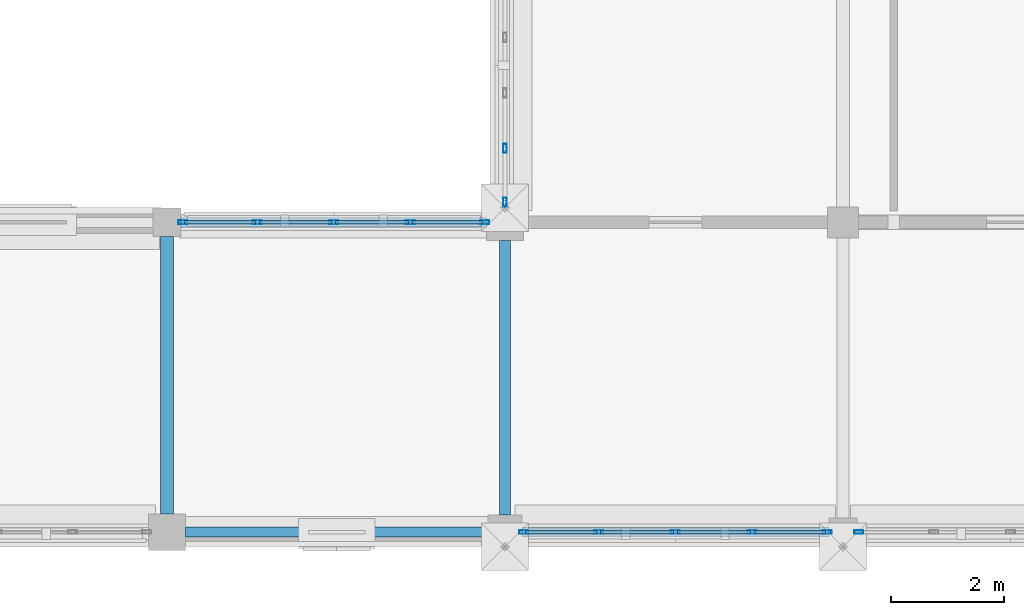
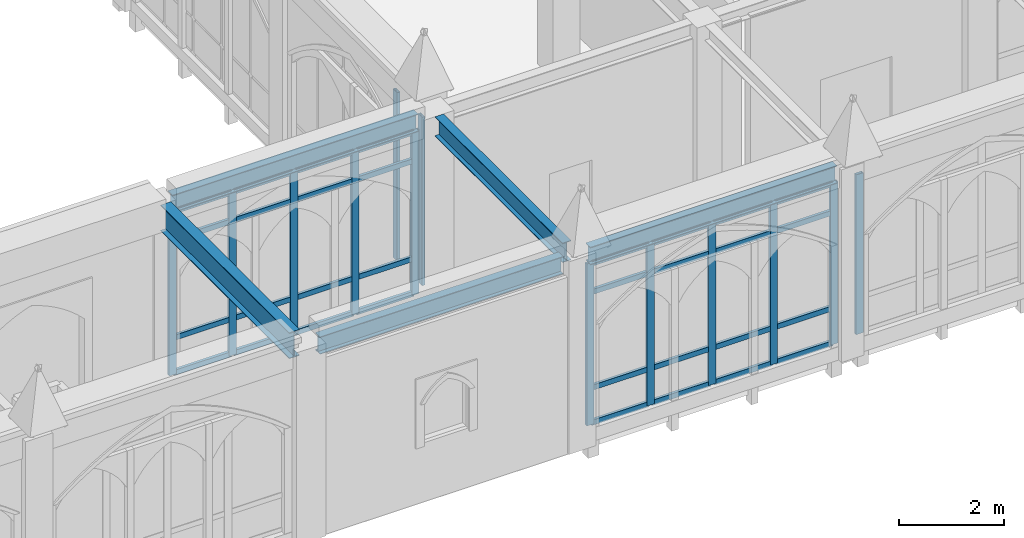
# One storey, part 12 of 143: 45 members, 5 beams, 4 elements without a shape of their own.
"""IFC4 building model written with IfcOpenShell, lengths in metres."""

from ifc_helpers import new_model, si_unit, direction, frame, origin, origin_2d, place, context, subcontext, project, spatial, hollow_rectangle, i_section, extrude, material, layer, layer_set, material_profile, profile_set, type_object, element, aggregate, save


model = new_model("IFC4")

# Units and contexts
model_context = context("Model", 3, precision=1e-05, world=origin(), true_north=direction((0.0, 1.0)))
body_context = subcontext(model_context, "Body", "Model", "MODEL_VIEW")
ifc_project = project(units=[si_unit("LENGTHUNIT", "METRE"), si_unit("AREAUNIT", "SQUARE_METRE"), si_unit("VOLUMEUNIT", "CUBIC_METRE"), si_unit("PLANEANGLEUNIT", "RADIAN"), si_unit("MASSUNIT", "GRAM", prefix="KILO")], contexts=[model_context])

# Site, building, storey
site_placement = place(None, origin())
site = spatial("IfcSite", under=ifc_project, at=site_placement, CompositionType="ELEMENT")
building_placement = place(site_placement, origin())
building = spatial("IfcBuilding", under=site, at=building_placement, Name="Cumevento Cable Car Station", CompositionType="ELEMENT")
storey_placement = place(building_placement, frame((0.0, 0.0, 9.0)))
storey = spatial("IfcBuildingStorey", under=building, at=storey_placement, Name="L03", CompositionType="ELEMENT", Elevation=9.0)

# Curtain wall, members
ifc_material_1 = material(Name="Anodised Bronze Aluminium AW-6063-T6", Category="aluminium")
ifc_layer_1 = layer(ifc_material_1, 0.219970703125)
ifc_layer_set_1 = layer_set([ifc_layer_1], Name="Anodised Bronze Aluminium AW-6063-T6")
curtain_wall_type_1 = type_object("IfcCurtainWallType", Name="Lancet Curtain Wall CW-11 1450", PredefinedType="NOTDEFINED", material=ifc_layer_set_1)
curtain_wall_1_placement = place(storey_placement, origin())
curtain_wall_1 = element("IfcCurtainWall", 1, at=curtain_wall_1_placement, inside=storey, type_object=curtain_wall_type_1, Name="Lancet Curtain Wall CW-11 L03 #74", PredefinedType="NOTDEFINED")
ifc_material_2 = material(Name="Anodised Bronze Aluminium AW-6063-T6", Category="aluminium")
ifc_material_profile_1 = material_profile(ifc_material_2, hollow_rectangle(XDim=0.06494140625, YDim=0.159912109375, WallThickness=0.00390625, at=origin_2d()), Name="ALUM65x160x4")
ifc_profile_set_1 = profile_set([ifc_material_profile_1], Name="Anodised Bronze Aluminium AW-6063-T6")
member_type_1 = type_object("IfcMemberType", Name="Curtain Mullion CWM-01 ALUM65x160x4", PredefinedType="MULLION", material=ifc_profile_set_1)
member_1_placement = place(storey_placement, frame((52.282470703125, 9.5, 0.260009765625), z_axis=(0.0, 0.0, 1.0), x_axis=(0.0, 1.0, 0.0)))
member_1 = element("IfcMember", 2, at=member_1_placement, type_object=member_type_1, Name="CW-11 mullion 1", PredefinedType="MULLION", context=body_context, shape_type="SweptSolid", body=[
    extrude(hollow_rectangle(XDim=0.06494140625, YDim=0.159912109375, WallThickness=0.00390625, at=origin_2d()), origin(), (0.0, 0.0, 1.0), 3.8330078125),
])
member_2_placement = place(storey_placement, frame((53.606201171875, 9.5, 0.260009765625), z_axis=(0.0, 0.0, 1.0), x_axis=(0.0, 1.0, 0.0)))
member_2 = element("IfcMember", 3, at=member_2_placement, type_object=member_type_1, Name="CW-11 mullion 2", PredefinedType="MULLION", context=body_context, shape_type="SweptSolid", body=[
    extrude(hollow_rectangle(XDim=0.06494140625, YDim=0.159912109375, WallThickness=0.00390625, at=origin_2d()), origin(), (0.0, 0.0, 1.0), 3.8330078125),
])
member_3_placement = place(storey_placement, frame((54.96240234375, 9.5, 0.260009765625), z_axis=(0.0, 0.0, 1.0), x_axis=(0.0, 1.0, 0.0)))
member_3 = element("IfcMember", 4, at=member_3_placement, type_object=member_type_1, Name="CW-11 mullion 3", PredefinedType="MULLION", context=body_context, shape_type="SweptSolid", body=[
    extrude(hollow_rectangle(XDim=0.06494140625, YDim=0.159912109375, WallThickness=0.00390625, at=origin_2d()), origin(), (0.0, 0.0, 1.0), 3.8330078125),
])
member_4_placement = place(storey_placement, frame((56.31884765625, 9.5, 0.260009765625), z_axis=(0.0, 0.0, 1.0), x_axis=(0.0, 1.0, 0.0)))
member_4 = element("IfcMember", 5, at=member_4_placement, type_object=member_type_1, Name="CW-11 mullion 4", PredefinedType="MULLION", context=body_context, shape_type="SweptSolid", body=[
    extrude(hollow_rectangle(XDim=0.06494140625, YDim=0.159912109375, WallThickness=0.00390625, at=origin_2d()), origin(), (0.0, 0.0, 1.0), 3.8330078125),
])
member_5_placement = place(storey_placement, frame((57.642578125, 9.5, 0.260009765625), z_axis=(0.0, 0.0, 1.0), x_axis=(0.0, 1.0, 0.0)))
member_5 = element("IfcMember", 6, at=member_5_placement, type_object=member_type_1, Name="CW-11 mullion 5", PredefinedType="MULLION", context=body_context, shape_type="SweptSolid", body=[
    extrude(hollow_rectangle(XDim=0.06494140625, YDim=0.159912109375, WallThickness=0.00390625, at=origin_2d()), origin(), (0.0, 0.0, 1.0), 3.8330078125),
])

ifc_material_3 = material(Name="Anodised Bronze Aluminium AW-6063-T6", Category="aluminium")
ifc_layer_2 = layer(ifc_material_3, 0.22607421875)
ifc_layer_set_2 = layer_set([ifc_layer_2], Name="Anodised Bronze Aluminium AW-6063-T6")
curtain_wall_type_2 = type_object("IfcCurtainWallType", Name="Lancet Curtain Wall CW-12 1490", PredefinedType="NOTDEFINED", material=ifc_layer_set_2)
curtain_wall_2_placement = place(storey_placement, origin())
curtain_wall_2 = element("IfcCurtainWall", 7, at=curtain_wall_2_placement, inside=storey, type_object=curtain_wall_type_2, Name="Lancet Curtain Wall CW-12 L03 #75", PredefinedType="NOTDEFINED")
member_6_placement = place(storey_placement, frame((63.717529296875, 4.0, 0.31005859375), z_axis=(0.0, 0.0, 1.0), x_axis=(0.0, -1.0, 0.0)))
member_6 = element("IfcMember", 8, at=member_6_placement, type_object=member_type_1, Name="CW-12 mullion 1", PredefinedType="MULLION", context=body_context, shape_type="SweptSolid", body=[
    extrude(hollow_rectangle(XDim=0.06494140625, YDim=0.159912109375, WallThickness=0.00390625, at=origin_2d()), origin(), (0.0, 0.0, 1.0), 3.782958984375),
])
member_7_placement = place(storey_placement, frame((62.387451171875, 4.0, 0.31005859375), z_axis=(0.0, 0.0, 1.0), x_axis=(0.0, -1.0, 0.0)))
member_7 = element("IfcMember", 9, at=member_7_placement, type_object=member_type_1, Name="CW-12 mullion 2", PredefinedType="MULLION", context=body_context, shape_type="SweptSolid", body=[
    extrude(hollow_rectangle(XDim=0.06494140625, YDim=0.159912109375, WallThickness=0.00390625, at=origin_2d()), origin(), (0.0, 0.0, 1.0), 3.782958984375),
])
member_8_placement = place(storey_placement, frame((61.02490234375, 4.0, 0.31005859375), z_axis=(0.0, 0.0, 1.0), x_axis=(0.0, -1.0, 0.0)))
member_8 = element("IfcMember", 10, at=member_8_placement, type_object=member_type_1, Name="CW-12 mullion 3", PredefinedType="MULLION", context=body_context, shape_type="SweptSolid", body=[
    extrude(hollow_rectangle(XDim=0.06494140625, YDim=0.159912109375, WallThickness=0.00390625, at=origin_2d()), origin(), (0.0, 0.0, 1.0), 3.782958984375),
])
member_9_placement = place(storey_placement, frame((59.66259765625, 4.0, 0.31005859375), z_axis=(0.0, 0.0, 1.0), x_axis=(0.0, -1.0, 0.0)))
member_9 = element("IfcMember", 11, at=member_9_placement, type_object=member_type_1, Name="CW-12 mullion 4", PredefinedType="MULLION", context=body_context, shape_type="SweptSolid", body=[
    extrude(hollow_rectangle(XDim=0.06494140625, YDim=0.159912109375, WallThickness=0.00390625, at=origin_2d()), origin(), (0.0, 0.0, 1.0), 3.782958984375),
])
member_10_placement = place(storey_placement, frame((58.33251953125, 4.0, 0.31005859375), z_axis=(0.0, 0.0, 1.0), x_axis=(0.0, -1.0, 0.0)))
member_10 = element("IfcMember", 12, at=member_10_placement, type_object=member_type_1, Name="CW-12 mullion 5", PredefinedType="MULLION", context=body_context, shape_type="SweptSolid", body=[
    extrude(hollow_rectangle(XDim=0.06494140625, YDim=0.159912109375, WallThickness=0.00390625, at=origin_2d()), origin(), (0.0, 0.0, 1.0), 3.782958984375),
])

# Curtain wall, member
ifc_material_4 = material(Name="Anodised Bronze Aluminium AW-6063-T6", Category="aluminium")
ifc_layer_3 = layer(ifc_material_4, 0.23193359375)
ifc_layer_set_3 = layer_set([ifc_layer_3], Name="Anodised Bronze Aluminium AW-6063-T6")
curtain_wall_type_3 = type_object("IfcCurtainWallType", Name="Lancet Curtain Wall CW-13 1530", PredefinedType="NOTDEFINED", material=ifc_layer_set_3)
curtain_wall_3_placement = place(storey_placement, origin())
curtain_wall_3 = element("IfcCurtainWall", 13, at=curtain_wall_3_placement, inside=storey, type_object=curtain_wall_type_3, Name="Lancet Curtain Wall CW-13 L03 #76", PredefinedType="NOTDEFINED")
member_11_placement = place(storey_placement, frame((64.282470703125, 4.0, 0.360107421875), z_axis=(0.0, 0.0, 1.0), x_axis=(0.0, -1.0, 0.0)))
member_11 = element("IfcMember", 14, at=member_11_placement, type_object=member_type_1, Name="CW-13 mullion 5", PredefinedType="MULLION", context=body_context, shape_type="SweptSolid", body=[
    extrude(hollow_rectangle(XDim=0.06494140625, YDim=0.159912109375, WallThickness=0.00390625, at=origin_2d()), origin(), (0.0, 0.0, 1.0), 3.73291015625),
])
aggregate(curtain_wall_3, [member_11])

# Curtain wall, members
ifc_material_5 = material(Name="Anodised Bronze Aluminium AW-6063-T6", Category="aluminium")
ifc_layer_4 = layer(ifc_material_5, 0.159912109375)
ifc_layer_set_4 = layer_set([ifc_layer_4], Name="Anodised Bronze Aluminium AW-6063-T6")
curtain_wall_type_4 = type_object("IfcCurtainWallType", Name="Lancet Curtain Wall CW-01 1050", PredefinedType="NOTDEFINED", material=ifc_layer_set_4)
curtain_wall_4_placement = place(storey_placement, origin())
curtain_wall_4 = element("IfcCurtainWall", 15, at=curtain_wall_4_placement, inside=storey, type_object=curtain_wall_type_4, Name="Lancet Curtain Wall CW-01 L03 #80", PredefinedType="NOTDEFINED")
member_12_placement = place(storey_placement, frame((58.0, 9.857421875, 0.159912109375), z_axis=(0.0, 0.0, 1.0), x_axis=(-1.0, 0.0, 0.0)))
member_12 = element("IfcMember", 16, at=member_12_placement, type_object=member_type_1, Name="CW-01 mullion 1", PredefinedType="MULLION", context=body_context, shape_type="SweptSolid", body=[
    extrude(hollow_rectangle(XDim=0.06494140625, YDim=0.159912109375, WallThickness=0.00390625, at=origin_2d()), origin(), (0.0, 0.0, 1.0), 3.93310546875),
])
member_13_placement = place(storey_placement, frame((58.0, 10.81005859375, 0.159912109375), z_axis=(0.0, 0.0, 1.0), x_axis=(-1.0, 0.0, 0.0)))
member_13 = element("IfcMember", 17, at=member_13_placement, type_object=member_type_1, Name="CW-01 mullion 2", PredefinedType="MULLION", context=body_context, shape_type="SweptSolid", body=[
    extrude(hollow_rectangle(XDim=0.06494140625, YDim=0.159912109375, WallThickness=0.00390625, at=origin_2d()), origin(), (0.0, 0.0, 1.0), 3.93310546875),
])
aggregate(curtain_wall_4, [member_12, member_13])

# Member
ifc_material_6 = material(Name="Anodised Bronze Aluminium AW-6063-T6", Category="aluminium")
ifc_material_profile_2 = material_profile(ifc_material_6, hollow_rectangle(XDim=0.06494140625, YDim=0.1201171875, WallThickness=0.00390625, at=origin_2d()), Name="ALUT65x120x4")
ifc_profile_set_2 = profile_set([ifc_material_profile_2], Name="Anodised Bronze Aluminium AW-6063-T6")
member_type_2 = type_object("IfcMemberType", Name="Curtain Transom CWT-01 ALUT65x120x4", PredefinedType="USERDEFINED", material=ifc_profile_set_2)
member_14_placement = place(storey_placement, frame((52.31494140625, 9.5, 0.29248046875), z_axis=(1.0, 0.0, 0.0), x_axis=(0.0, 1.0, 0.0)))
member_14 = element("IfcMember", 18, at=member_14_placement, type_object=member_type_2, Name="CW-11 transom 1.1", ObjectType="TRANSOM", PredefinedType="USERDEFINED", context=body_context, shape_type="SweptSolid", body=[
    extrude(hollow_rectangle(XDim=0.06494140625, YDim=0.1201171875, WallThickness=0.00390625, at=origin_2d()), origin(), (0.0, 0.0, 1.0), 1.2587890625),
])

member_15_placement = place(storey_placement, frame((52.31494140625, 9.5, 1.110107421875), z_axis=(1.0, 0.0, 0.0), x_axis=(0.0, 1.0, 0.0)))
member_15 = element("IfcMember", 19, at=member_15_placement, type_object=member_type_2, Name="CW-11 transom 1.2", ObjectType="TRANSOM", PredefinedType="USERDEFINED", context=body_context, shape_type="SweptSolid", body=[
    extrude(hollow_rectangle(XDim=0.06494140625, YDim=0.1201171875, WallThickness=0.00390625, at=origin_2d()), origin(), (0.0, 0.0, 1.0), 1.2587890625),
])

member_16_placement = place(storey_placement, frame((52.31494140625, 9.5, 3.39306640625), z_axis=(1.0, 0.0, 0.0), x_axis=(0.0, 1.0, 0.0)))
member_16 = element("IfcMember", 20, at=member_16_placement, type_object=member_type_2, Name="CW-11 transom 1.3", ObjectType="TRANSOM", PredefinedType="USERDEFINED", context=body_context, shape_type="SweptSolid", body=[
    extrude(hollow_rectangle(XDim=0.06494140625, YDim=0.1201171875, WallThickness=0.00390625, at=origin_2d()), origin(), (0.0, 0.0, 1.0), 1.2587890625),
])

member_17_placement = place(storey_placement, frame((52.31494140625, 9.5, 4.060546875), z_axis=(1.0, 0.0, 0.0), x_axis=(0.0, 1.0, 0.0)))
member_17 = element("IfcMember", 21, at=member_17_placement, type_object=member_type_2, Name="CW-11 transom 1.4", ObjectType="TRANSOM", PredefinedType="USERDEFINED", context=body_context, shape_type="SweptSolid", body=[
    extrude(hollow_rectangle(XDim=0.06494140625, YDim=0.1201171875, WallThickness=0.00390625, at=origin_2d()), origin(), (0.0, 0.0, 1.0), 1.2587890625),
])

member_18_placement = place(storey_placement, frame((53.638671875, 9.5, 0.29248046875), z_axis=(1.0, 0.0, 0.0), x_axis=(0.0, 1.0, 0.0)))
member_18 = element("IfcMember", 22, at=member_18_placement, type_object=member_type_2, Name="CW-11 transom 2.1", ObjectType="TRANSOM", PredefinedType="USERDEFINED", context=body_context, shape_type="SweptSolid", body=[
    extrude(hollow_rectangle(XDim=0.06494140625, YDim=0.1201171875, WallThickness=0.00390625, at=origin_2d()), origin(), (0.0, 0.0, 1.0), 1.291259765625),
])

member_19_placement = place(storey_placement, frame((53.638671875, 9.5, 1.110107421875), z_axis=(1.0, 0.0, 0.0), x_axis=(0.0, 1.0, 0.0)))
member_19 = element("IfcMember", 23, at=member_19_placement, type_object=member_type_2, Name="CW-11 transom 2.2", ObjectType="TRANSOM", PredefinedType="USERDEFINED", context=body_context, shape_type="SweptSolid", body=[
    extrude(hollow_rectangle(XDim=0.06494140625, YDim=0.1201171875, WallThickness=0.00390625, at=origin_2d()), origin(), (0.0, 0.0, 1.0), 1.291259765625),
])

member_20_placement = place(storey_placement, frame((53.638671875, 9.5, 3.39306640625), z_axis=(1.0, 0.0, 0.0), x_axis=(0.0, 1.0, 0.0)))
member_20 = element("IfcMember", 24, at=member_20_placement, type_object=member_type_2, Name="CW-11 transom 2.3", ObjectType="TRANSOM", PredefinedType="USERDEFINED", context=body_context, shape_type="SweptSolid", body=[
    extrude(hollow_rectangle(XDim=0.06494140625, YDim=0.1201171875, WallThickness=0.00390625, at=origin_2d()), origin(), (0.0, 0.0, 1.0), 1.291259765625),
])

member_21_placement = place(storey_placement, frame((53.638671875, 9.5, 4.060546875), z_axis=(1.0, 0.0, 0.0), x_axis=(0.0, 1.0, 0.0)))
member_21 = element("IfcMember", 25, at=member_21_placement, type_object=member_type_2, Name="CW-11 transom 2.4", ObjectType="TRANSOM", PredefinedType="USERDEFINED", context=body_context, shape_type="SweptSolid", body=[
    extrude(hollow_rectangle(XDim=0.06494140625, YDim=0.1201171875, WallThickness=0.00390625, at=origin_2d()), origin(), (0.0, 0.0, 1.0), 1.291259765625),
])

member_22_placement = place(storey_placement, frame((54.9951171875, 9.5, 0.29248046875), z_axis=(1.0, 0.0, 0.0), x_axis=(0.0, 1.0, 0.0)))
member_22 = element("IfcMember", 26, at=member_22_placement, type_object=member_type_2, Name="CW-11 transom 3.1", ObjectType="TRANSOM", PredefinedType="USERDEFINED", context=body_context, shape_type="SweptSolid", body=[
    extrude(hollow_rectangle(XDim=0.06494140625, YDim=0.1201171875, WallThickness=0.00390625, at=origin_2d()), origin(), (0.0, 0.0, 1.0), 1.291015625),
])

member_23_placement = place(storey_placement, frame((54.9951171875, 9.5, 1.110107421875), z_axis=(1.0, 0.0, 0.0), x_axis=(0.0, 1.0, 0.0)))
member_23 = element("IfcMember", 27, at=member_23_placement, type_object=member_type_2, Name="CW-11 transom 3.2", ObjectType="TRANSOM", PredefinedType="USERDEFINED", context=body_context, shape_type="SweptSolid", body=[
    extrude(hollow_rectangle(XDim=0.06494140625, YDim=0.1201171875, WallThickness=0.00390625, at=origin_2d()), origin(), (0.0, 0.0, 1.0), 1.291015625),
])

member_24_placement = place(storey_placement, frame((54.9951171875, 9.5, 3.39306640625), z_axis=(1.0, 0.0, 0.0), x_axis=(0.0, 1.0, 0.0)))
member_24 = element("IfcMember", 28, at=member_24_placement, type_object=member_type_2, Name="CW-11 transom 3.3", ObjectType="TRANSOM", PredefinedType="USERDEFINED", context=body_context, shape_type="SweptSolid", body=[
    extrude(hollow_rectangle(XDim=0.06494140625, YDim=0.1201171875, WallThickness=0.00390625, at=origin_2d()), origin(), (0.0, 0.0, 1.0), 1.291015625),
])

member_25_placement = place(storey_placement, frame((54.9951171875, 9.5, 4.060546875), z_axis=(1.0, 0.0, 0.0), x_axis=(0.0, 1.0, 0.0)))
member_25 = element("IfcMember", 29, at=member_25_placement, type_object=member_type_2, Name="CW-11 transom 3.4", ObjectType="TRANSOM", PredefinedType="USERDEFINED", context=body_context, shape_type="SweptSolid", body=[
    extrude(hollow_rectangle(XDim=0.06494140625, YDim=0.1201171875, WallThickness=0.00390625, at=origin_2d()), origin(), (0.0, 0.0, 1.0), 1.291015625),
])

member_26_placement = place(storey_placement, frame((56.351318359375, 9.5, 0.29248046875), z_axis=(1.0, 0.0, 0.0), x_axis=(0.0, 1.0, 0.0)))
member_26 = element("IfcMember", 30, at=member_26_placement, type_object=member_type_2, Name="CW-11 transom 4.1", ObjectType="TRANSOM", PredefinedType="USERDEFINED", context=body_context, shape_type="SweptSolid", body=[
    extrude(hollow_rectangle(XDim=0.06494140625, YDim=0.1201171875, WallThickness=0.00390625, at=origin_2d()), origin(), (0.0, 0.0, 1.0), 1.2587890625),
])

member_27_placement = place(storey_placement, frame((56.351318359375, 9.5, 1.110107421875), z_axis=(1.0, 0.0, 0.0), x_axis=(0.0, 1.0, 0.0)))
member_27 = element("IfcMember", 31, at=member_27_placement, type_object=member_type_2, Name="CW-11 transom 4.2", ObjectType="TRANSOM", PredefinedType="USERDEFINED", context=body_context, shape_type="SweptSolid", body=[
    extrude(hollow_rectangle(XDim=0.06494140625, YDim=0.1201171875, WallThickness=0.00390625, at=origin_2d()), origin(), (0.0, 0.0, 1.0), 1.2587890625),
])

member_28_placement = place(storey_placement, frame((56.351318359375, 9.5, 3.39306640625), z_axis=(1.0, 0.0, 0.0), x_axis=(0.0, 1.0, 0.0)))
member_28 = element("IfcMember", 32, at=member_28_placement, type_object=member_type_2, Name="CW-11 transom 4.3", ObjectType="TRANSOM", PredefinedType="USERDEFINED", context=body_context, shape_type="SweptSolid", body=[
    extrude(hollow_rectangle(XDim=0.06494140625, YDim=0.1201171875, WallThickness=0.00390625, at=origin_2d()), origin(), (0.0, 0.0, 1.0), 1.2587890625),
])

member_29_placement = place(storey_placement, frame((56.351318359375, 9.5, 4.060546875), z_axis=(1.0, 0.0, 0.0), x_axis=(0.0, 1.0, 0.0)))
member_29 = element("IfcMember", 33, at=member_29_placement, type_object=member_type_2, Name="CW-11 transom 4.4", ObjectType="TRANSOM", PredefinedType="USERDEFINED", context=body_context, shape_type="SweptSolid", body=[
    extrude(hollow_rectangle(XDim=0.06494140625, YDim=0.1201171875, WallThickness=0.00390625, at=origin_2d()), origin(), (0.0, 0.0, 1.0), 1.2587890625),
])

aggregate(curtain_wall_1, [member_1, member_2, member_3, member_4, member_5, member_14, member_15, member_16, member_17, member_18, member_19, member_20, member_21, member_22, member_23, member_24, member_25, member_26, member_27, member_28, member_29])

member_30_placement = place(storey_placement, frame((63.68505859375, 4.0, 0.342529296875), z_axis=(-1.0, 0.0, 0.0), x_axis=(0.0, -1.0, 0.0)))
member_30 = element("IfcMember", 34, at=member_30_placement, type_object=member_type_2, Name="CW-12 transom 1.1", ObjectType="TRANSOM", PredefinedType="USERDEFINED", context=body_context, shape_type="SweptSolid", body=[
    extrude(hollow_rectangle(XDim=0.06494140625, YDim=0.1201171875, WallThickness=0.00390625, at=origin_2d()), origin(), (0.0, 0.0, 1.0), 1.26513671875),
])

member_31_placement = place(storey_placement, frame((63.68505859375, 4.0, 1.159912109375), z_axis=(-1.0, 0.0, 0.0), x_axis=(0.0, -1.0, 0.0)))
member_31 = element("IfcMember", 35, at=member_31_placement, type_object=member_type_2, Name="CW-12 transom 1.2", ObjectType="TRANSOM", PredefinedType="USERDEFINED", context=body_context, shape_type="SweptSolid", body=[
    extrude(hollow_rectangle(XDim=0.06494140625, YDim=0.1201171875, WallThickness=0.00390625, at=origin_2d()), origin(), (0.0, 0.0, 1.0), 1.26513671875),
])

member_32_placement = place(storey_placement, frame((63.68505859375, 4.0, 3.39306640625), z_axis=(-1.0, 0.0, 0.0), x_axis=(0.0, -1.0, 0.0)))
member_32 = element("IfcMember", 36, at=member_32_placement, type_object=member_type_2, Name="CW-12 transom 1.3", ObjectType="TRANSOM", PredefinedType="USERDEFINED", context=body_context, shape_type="SweptSolid", body=[
    extrude(hollow_rectangle(XDim=0.06494140625, YDim=0.1201171875, WallThickness=0.00390625, at=origin_2d()), origin(), (0.0, 0.0, 1.0), 1.26513671875),
])

member_33_placement = place(storey_placement, frame((63.68505859375, 4.0, 4.060546875), z_axis=(-1.0, 0.0, 0.0), x_axis=(0.0, -1.0, 0.0)))
member_33 = element("IfcMember", 37, at=member_33_placement, type_object=member_type_2, Name="CW-12 transom 1.4", ObjectType="TRANSOM", PredefinedType="USERDEFINED", context=body_context, shape_type="SweptSolid", body=[
    extrude(hollow_rectangle(XDim=0.06494140625, YDim=0.1201171875, WallThickness=0.00390625, at=origin_2d()), origin(), (0.0, 0.0, 1.0), 1.26513671875),
])

member_34_placement = place(storey_placement, frame((62.35498046875, 4.0, 0.342529296875), z_axis=(-1.0, 0.0, 0.0), x_axis=(0.0, -1.0, 0.0)))
member_34 = element("IfcMember", 38, at=member_34_placement, type_object=member_type_2, Name="CW-12 transom 2.1", ObjectType="TRANSOM", PredefinedType="USERDEFINED", context=body_context, shape_type="SweptSolid", body=[
    extrude(hollow_rectangle(XDim=0.06494140625, YDim=0.1201171875, WallThickness=0.00390625, at=origin_2d()), origin(), (0.0, 0.0, 1.0), 1.29736328125),
])

member_35_placement = place(storey_placement, frame((62.35498046875, 4.0, 1.159912109375), z_axis=(-1.0, 0.0, 0.0), x_axis=(0.0, -1.0, 0.0)))
member_35 = element("IfcMember", 39, at=member_35_placement, type_object=member_type_2, Name="CW-12 transom 2.2", ObjectType="TRANSOM", PredefinedType="USERDEFINED", context=body_context, shape_type="SweptSolid", body=[
    extrude(hollow_rectangle(XDim=0.06494140625, YDim=0.1201171875, WallThickness=0.00390625, at=origin_2d()), origin(), (0.0, 0.0, 1.0), 1.29736328125),
])

member_36_placement = place(storey_placement, frame((62.35498046875, 4.0, 3.39306640625), z_axis=(-1.0, 0.0, 0.0), x_axis=(0.0, -1.0, 0.0)))
member_36 = element("IfcMember", 40, at=member_36_placement, type_object=member_type_2, Name="CW-12 transom 2.3", ObjectType="TRANSOM", PredefinedType="USERDEFINED", context=body_context, shape_type="SweptSolid", body=[
    extrude(hollow_rectangle(XDim=0.06494140625, YDim=0.1201171875, WallThickness=0.00390625, at=origin_2d()), origin(), (0.0, 0.0, 1.0), 1.29736328125),
])

member_37_placement = place(storey_placement, frame((62.35498046875, 4.0, 4.060546875), z_axis=(-1.0, 0.0, 0.0), x_axis=(0.0, -1.0, 0.0)))
member_37 = element("IfcMember", 41, at=member_37_placement, type_object=member_type_2, Name="CW-12 transom 2.4", ObjectType="TRANSOM", PredefinedType="USERDEFINED", context=body_context, shape_type="SweptSolid", body=[
    extrude(hollow_rectangle(XDim=0.06494140625, YDim=0.1201171875, WallThickness=0.00390625, at=origin_2d()), origin(), (0.0, 0.0, 1.0), 1.29736328125),
])

member_38_placement = place(storey_placement, frame((60.992431640625, 4.0, 0.342529296875), z_axis=(-1.0, 0.0, 0.0), x_axis=(0.0, -1.0, 0.0)))
member_38 = element("IfcMember", 42, at=member_38_placement, type_object=member_type_2, Name="CW-12 transom 3.1", ObjectType="TRANSOM", PredefinedType="USERDEFINED", context=body_context, shape_type="SweptSolid", body=[
    extrude(hollow_rectangle(XDim=0.06494140625, YDim=0.1201171875, WallThickness=0.00390625, at=origin_2d()), origin(), (0.0, 0.0, 1.0), 1.29736328125),
])

member_39_placement = place(storey_placement, frame((60.992431640625, 4.0, 1.159912109375), z_axis=(-1.0, 0.0, 0.0), x_axis=(0.0, -1.0, 0.0)))
member_39 = element("IfcMember", 43, at=member_39_placement, type_object=member_type_2, Name="CW-12 transom 3.2", ObjectType="TRANSOM", PredefinedType="USERDEFINED", context=body_context, shape_type="SweptSolid", body=[
    extrude(hollow_rectangle(XDim=0.06494140625, YDim=0.1201171875, WallThickness=0.00390625, at=origin_2d()), origin(), (0.0, 0.0, 1.0), 1.29736328125),
])

member_40_placement = place(storey_placement, frame((60.992431640625, 4.0, 3.39306640625), z_axis=(-1.0, 0.0, 0.0), x_axis=(0.0, -1.0, 0.0)))
member_40 = element("IfcMember", 44, at=member_40_placement, type_object=member_type_2, Name="CW-12 transom 3.3", ObjectType="TRANSOM", PredefinedType="USERDEFINED", context=body_context, shape_type="SweptSolid", body=[
    extrude(hollow_rectangle(XDim=0.06494140625, YDim=0.1201171875, WallThickness=0.00390625, at=origin_2d()), origin(), (0.0, 0.0, 1.0), 1.29736328125),
])

member_41_placement = place(storey_placement, frame((60.992431640625, 4.0, 4.060546875), z_axis=(-1.0, 0.0, 0.0), x_axis=(0.0, -1.0, 0.0)))
member_41 = element("IfcMember", 45, at=member_41_placement, type_object=member_type_2, Name="CW-12 transom 3.4", ObjectType="TRANSOM", PredefinedType="USERDEFINED", context=body_context, shape_type="SweptSolid", body=[
    extrude(hollow_rectangle(XDim=0.06494140625, YDim=0.1201171875, WallThickness=0.00390625, at=origin_2d()), origin(), (0.0, 0.0, 1.0), 1.29736328125),
])

member_42_placement = place(storey_placement, frame((59.6298828125, 4.0, 0.342529296875), z_axis=(-1.0, 0.0, 0.0), x_axis=(0.0, -1.0, 0.0)))
member_42 = element("IfcMember", 46, at=member_42_placement, type_object=member_type_2, Name="CW-12 transom 4.1", ObjectType="TRANSOM", PredefinedType="USERDEFINED", context=body_context, shape_type="SweptSolid", body=[
    extrude(hollow_rectangle(XDim=0.06494140625, YDim=0.1201171875, WallThickness=0.00390625, at=origin_2d()), origin(), (0.0, 0.0, 1.0), 1.264892578125),
])

member_43_placement = place(storey_placement, frame((59.6298828125, 4.0, 1.159912109375), z_axis=(-1.0, 0.0, 0.0), x_axis=(0.0, -1.0, 0.0)))
member_43 = element("IfcMember", 47, at=member_43_placement, type_object=member_type_2, Name="CW-12 transom 4.2", ObjectType="TRANSOM", PredefinedType="USERDEFINED", context=body_context, shape_type="SweptSolid", body=[
    extrude(hollow_rectangle(XDim=0.06494140625, YDim=0.1201171875, WallThickness=0.00390625, at=origin_2d()), origin(), (0.0, 0.0, 1.0), 1.264892578125),
])

member_44_placement = place(storey_placement, frame((59.6298828125, 4.0, 3.39306640625), z_axis=(-1.0, 0.0, 0.0), x_axis=(0.0, -1.0, 0.0)))
member_44 = element("IfcMember", 48, at=member_44_placement, type_object=member_type_2, Name="CW-12 transom 4.3", ObjectType="TRANSOM", PredefinedType="USERDEFINED", context=body_context, shape_type="SweptSolid", body=[
    extrude(hollow_rectangle(XDim=0.06494140625, YDim=0.1201171875, WallThickness=0.00390625, at=origin_2d()), origin(), (0.0, 0.0, 1.0), 1.264892578125),
])

member_45_placement = place(storey_placement, frame((59.6298828125, 4.0, 4.060546875), z_axis=(-1.0, 0.0, 0.0), x_axis=(0.0, -1.0, 0.0)))
member_45 = element("IfcMember", 49, at=member_45_placement, type_object=member_type_2, Name="CW-12 transom 4.4", ObjectType="TRANSOM", PredefinedType="USERDEFINED", context=body_context, shape_type="SweptSolid", body=[
    extrude(hollow_rectangle(XDim=0.06494140625, YDim=0.1201171875, WallThickness=0.00390625, at=origin_2d()), origin(), (0.0, 0.0, 1.0), 1.264892578125),
])

aggregate(curtain_wall_2, [member_6, member_7, member_8, member_9, member_10, member_30, member_31, member_32, member_33, member_34, member_35, member_36, member_37, member_38, member_39, member_40, member_41, member_42, member_43, member_44, member_45])

# Beams
ifc_material_7 = material(Name="Steel ASTM A572 Grade 50", Category="steel")
ifc_material_profile_3 = material_profile(ifc_material_7, i_section(OverallWidth=0.22802734375, OverallDepth=0.60791015625, WebThickness=0.01123046875, FlangeThickness=0.017333984375, at=origin_2d()), Name="W610x113.0")
ifc_profile_set_3 = profile_set([ifc_material_profile_3], Name="Steel ASTM A572 Grade 50")
beam_type_1 = type_object("IfcBeamType", Name="Structural Beam BM-02 W610x113.0", PredefinedType="BEAM", material=ifc_profile_set_3)
beam_1_placement = place(storey_placement, frame((52.0, 4.324951171875, 4.196044921875), z_axis=(0.0, 1.0, 0.0), x_axis=(-1.0, 0.0, 0.0)))
element("IfcBeam", 50, at=beam_1_placement, inside=storey, type_object=beam_type_1, Name="Beam BM-02 L03 #958", PredefinedType="BEAM", context=body_context, shape_type="SweptSolid", body=[
    extrude(i_section(OverallWidth=0.22802734375, OverallDepth=0.60791015625, WebThickness=0.01123046875, FlangeThickness=0.017333984375, at=origin_2d()), origin(), (0.0, 0.0, 1.0), 4.925048828125),
])
ifc_material_8 = material(Name="Steel ASTM A572 Grade 50", Category="steel")
ifc_material_profile_4 = material_profile(ifc_material_8, i_section(OverallWidth=0.18994140625, OverallDepth=0.45703125, WebThickness=0.009033203125, FlangeThickness=0.014404296875, at=origin_2d()), Name="W460x74.0")
ifc_profile_set_4 = profile_set([ifc_material_profile_4], Name="Steel ASTM A572 Grade 50")
beam_type_2 = type_object("IfcBeamType", Name="Structural Beam BM-04 W460x74.0", PredefinedType="BEAM", material=ifc_profile_set_4)
beam_2_placement = place(storey_placement, frame((58.0, 4.300048828125, 4.271484375), z_axis=(0.0, 1.0, 0.0), x_axis=(-1.0, 0.0, 0.0)))
element("IfcBeam", 51, at=beam_2_placement, inside=storey, type_object=beam_type_2, Name="Beam BM-04 L03 #959", PredefinedType="BEAM", context=body_context, shape_type="SweptSolid", body=[
    extrude(i_section(OverallWidth=0.18994140625, OverallDepth=0.45703125, WebThickness=0.009033203125, FlangeThickness=0.014404296875, at=origin_2d()), origin(), (0.0, 0.0, 1.0), 4.875),
])
ifc_material_9 = material(Name="Steel ASTM A572 Grade 50", Category="steel")
ifc_material_profile_5 = material_profile(ifc_material_9, i_section(OverallWidth=0.177978515625, OverallDepth=0.406982421875, WebThickness=0.0078125, FlangeThickness=0.0126953125, at=origin_2d()), Name="W410x60.0")
ifc_profile_set_5 = profile_set([ifc_material_profile_5], Name="Steel ASTM A572 Grade 50")
beam_type_3 = type_object("IfcBeamType", Name="Structural Spandrel SP-01 W410x60.0", PredefinedType="SPANDREL", material=ifc_profile_set_5)
beam_3_placement = place(storey_placement, frame((52.324951171875, 4.0, 4.29638671875), z_axis=(1.0, 0.0, 0.0), x_axis=(0.0, 1.0, 0.0)))
element("IfcBeam", 52, at=beam_3_placement, inside=storey, type_object=beam_type_3, Name="Beam SP-01 L03 #947", PredefinedType="SPANDREL", context=body_context, shape_type="SweptSolid", body=[
    extrude(i_section(OverallWidth=0.177978515625, OverallDepth=0.406982421875, WebThickness=0.0078125, FlangeThickness=0.0126953125, at=origin_2d()), origin(), (0.0, 0.0, 1.0), 5.375),
])
beam_4_placement = place(storey_placement, frame((58.300048828125, 4.0, 4.29638671875), z_axis=(1.0, 0.0, 0.0), x_axis=(0.0, 1.0, 0.0)))
element("IfcBeam", 53, at=beam_4_placement, inside=storey, type_object=beam_type_3, Name="Beam SP-01 L03 #948", PredefinedType="SPANDREL", context=body_context, shape_type="SweptSolid", body=[
    extrude(i_section(OverallWidth=0.177978515625, OverallDepth=0.406982421875, WebThickness=0.0078125, FlangeThickness=0.0126953125, at=origin_2d()), origin(), (0.0, 0.0, 1.0), 5.449951171875),
])
beam_5_placement = place(storey_placement, frame((52.25, 9.5, 4.29638671875), z_axis=(1.0, 0.0, 0.0), x_axis=(0.0, 1.0, 0.0)))
element("IfcBeam", 54, at=beam_5_placement, inside=storey, type_object=beam_type_3, Name="Beam SP-01 L03 #953", PredefinedType="SPANDREL", context=body_context, shape_type="SweptSolid", body=[
    extrude(i_section(OverallWidth=0.177978515625, OverallDepth=0.406982421875, WebThickness=0.0078125, FlangeThickness=0.0126953125, at=origin_2d()), origin(), (0.0, 0.0, 1.0), 5.425048828125),
])

save(model, "model.ifc")
